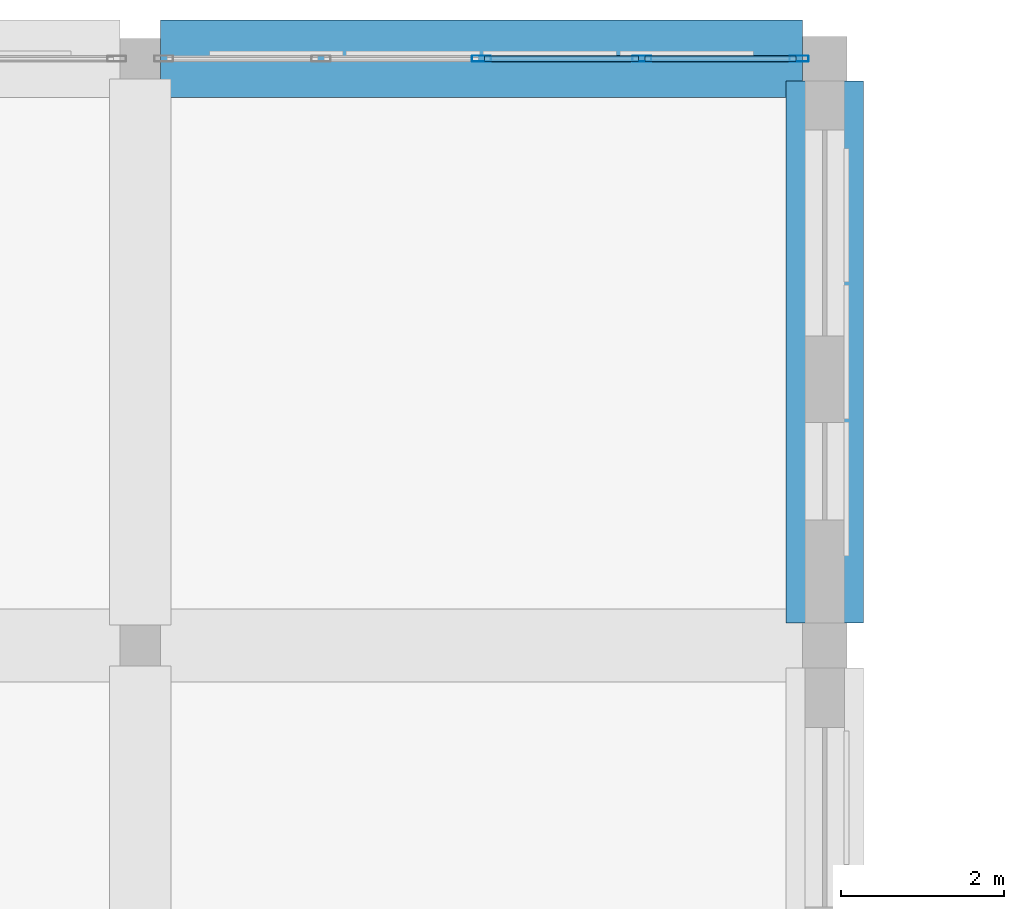
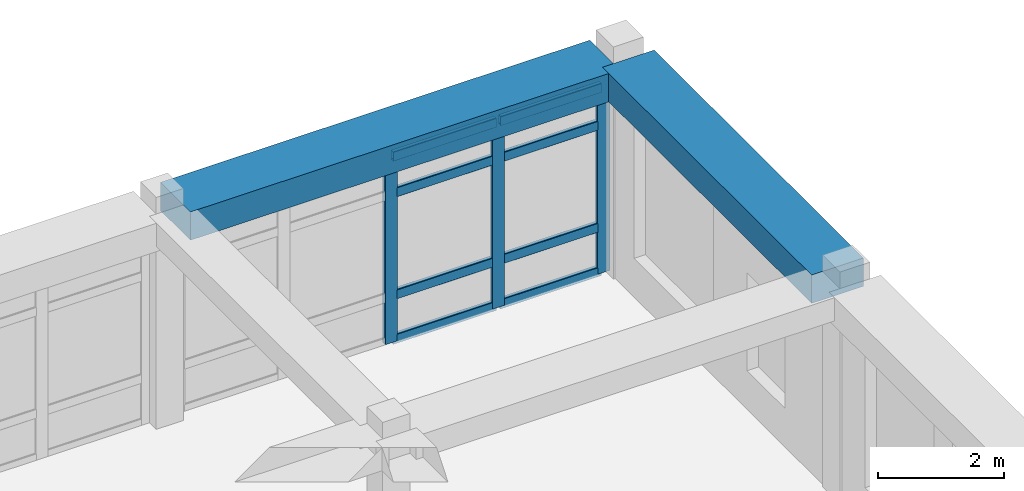
# One storey, part 52 of 121: 11 members, 2 beams, 1 element without a shape of its own.
"""IFC4 building model written with IfcOpenShell, lengths in metres."""

from ifc_helpers import new_model, si_unit, derived_unit, direction, frame, origin, origin_2d, place, context, subcontext, project, spatial, rectangle, hollow_rectangle, extrude, material, material_profile, profile_set, type_object, element, aggregate, save


model = new_model("IFC4")

# Units and contexts
model_context = context("Model", 3, precision=1e-05, world=origin(), true_north=direction((0.0, 1.0)))
body_context = subcontext(model_context, "Body", "Model", "MODEL_VIEW")
ifc_project = project(units=[si_unit("LENGTHUNIT", "METRE"), si_unit("AREAUNIT", "SQUARE_METRE"), si_unit("VOLUMEUNIT", "CUBIC_METRE"), si_unit("PLANEANGLEUNIT", "RADIAN"), si_unit("MASSUNIT", "GRAM", prefix="KILO"), derived_unit("THERMALTRANSMITTANCEUNIT", [(si_unit("POWERUNIT", "WATT"), 1), (si_unit("LENGTHUNIT", "METRE"), -2), (si_unit("THERMODYNAMICTEMPERATUREUNIT", "KELVIN"), -1)])], contexts=[model_context])

# Site, building, storey
site_placement = place(None, origin())
site = spatial("IfcSite", under=ifc_project, at=site_placement, CompositionType="ELEMENT")
building_placement = place(site_placement, origin())
building = spatial("IfcBuilding", under=site, at=building_placement, Name="Veybourne Emporium", CompositionType="ELEMENT")
storey_placement = place(building_placement, frame((0.0, 0.0, 5.39990234375)))
storey = spatial("IfcBuildingStorey", under=building, at=storey_placement, Name="L01", CompositionType="ELEMENT", Elevation=5.39990234375)

# Curtain wall, members
ifc_material_1 = material(Name="Patinated Architectural Bronze", Category="bronze")
curtain_wall_type = type_object("IfcCurtainWallType", Name="CWSystem_CWS-23", PredefinedType="NOTDEFINED", material=ifc_material_1)
curtain_wall_placement = place(storey_placement, origin())
curtain_wall = element("IfcCurtainWall", 1, at=curtain_wall_placement, inside=storey, type_object=curtain_wall_type, Name="L01 bronze glazed curtain wall CWS-23 (060)", PredefinedType="NOTDEFINED")
ifc_material_profile_1 = material_profile(ifc_material_1, hollow_rectangle(XDim=0.077880859375, YDim=0.235107421875, WallThickness=0.0048828125, InnerFilletRadius=0.007568359375, OuterFilletRadius=0.012451171875, at=origin_2d()), Name="CWM 78x235x5")
ifc_profile_set_1 = profile_set([ifc_material_profile_1], Name="Patinated Architectural Bronze")
member_type_1 = type_object("IfcMemberType", Name="CWMullion_CW-M3", PredefinedType="MULLION", material=ifc_profile_set_1)
member_1_placement = place(storey_placement, frame((96.58740234375, 115.199951171875, 0.0), z_axis=(0.0, 0.0, 1.0), x_axis=(0.0, 1.0, 0.0)))
member_1 = element("IfcMember", 2, at=member_1_placement, type_object=member_type_1, Name="CWS-23 mullion 3", PredefinedType="MULLION", context=body_context, shape_type="SweptSolid", body=[
    extrude(hollow_rectangle(XDim=0.077880859375, YDim=0.235107421875, WallThickness=0.0048828125, InnerFilletRadius=0.007568359375, OuterFilletRadius=0.012451171875, at=origin_2d()), origin(), (0.0, 0.0, 1.0), 3.630126953125),
])
member_2_placement = place(storey_placement, frame((98.55615234375, 115.199951171875, 0.0), z_axis=(0.0, 0.0, 1.0), x_axis=(0.0, 1.0, 0.0)))
member_2 = element("IfcMember", 3, at=member_2_placement, type_object=member_type_1, Name="CWS-23 mullion 4", PredefinedType="MULLION", context=body_context, shape_type="SweptSolid", body=[
    extrude(hollow_rectangle(XDim=0.077880859375, YDim=0.235107421875, WallThickness=0.0048828125, InnerFilletRadius=0.007568359375, OuterFilletRadius=0.012451171875, at=origin_2d()), origin(), (0.0, 0.0, 1.0), 3.630126953125),
])
member_3_placement = place(storey_placement, frame((100.486083984375, 115.199951171875, 0.0), z_axis=(0.0, 0.0, 1.0), x_axis=(0.0, 1.0, 0.0)))
member_3 = element("IfcMember", 4, at=member_3_placement, type_object=member_type_1, Name="CWS-23 mullion 5", PredefinedType="MULLION", context=body_context, shape_type="SweptSolid", body=[
    extrude(hollow_rectangle(XDim=0.077880859375, YDim=0.235107421875, WallThickness=0.0048828125, InnerFilletRadius=0.007568359375, OuterFilletRadius=0.012451171875, at=origin_2d()), origin(), (0.0, 0.0, 1.0), 3.630126953125),
])
ifc_material_profile_2 = material_profile(ifc_material_1, hollow_rectangle(XDim=0.077880859375, YDim=0.18505859375, WallThickness=0.0048828125, InnerFilletRadius=0.007568359375, OuterFilletRadius=0.012451171875, at=origin_2d()), Name="CWT 78x185x5")
ifc_profile_set_2 = profile_set([ifc_material_profile_2], Name="Patinated Architectural Bronze")
member_type_2 = type_object("IfcMemberType", Name="CWTransom_CW-T3", PredefinedType="NOTDEFINED", material=ifc_profile_set_2)
member_4_placement = place(storey_placement, frame((96.62646484375, 115.199951171875, 0.0390625), z_axis=(1.0, 0.0, 0.0), x_axis=(0.0, 1.0, 0.0)))
member_4 = element("IfcMember", 5, at=member_4_placement, type_object=member_type_2, Name="CWS-23 transom 3.1", ObjectType="TRANSOM", PredefinedType="USERDEFINED", context=body_context, shape_type="SweptSolid", body=[
    extrude(hollow_rectangle(XDim=0.077880859375, YDim=0.18505859375, WallThickness=0.0048828125, InnerFilletRadius=0.007568359375, OuterFilletRadius=0.012451171875, at=origin_2d()), origin(), (0.0, 0.0, 1.0), 1.890869140625),
])
member_5_placement = place(storey_placement, frame((96.62646484375, 115.199951171875, 0.900146484375), z_axis=(1.0, 0.0, 0.0), x_axis=(0.0, 1.0, 0.0)))
member_5 = element("IfcMember", 6, at=member_5_placement, type_object=member_type_2, Name="CWS-23 transom 3.2", ObjectType="TRANSOM", PredefinedType="USERDEFINED", context=body_context, shape_type="SweptSolid", body=[
    extrude(hollow_rectangle(XDim=0.077880859375, YDim=0.18505859375, WallThickness=0.0048828125, InnerFilletRadius=0.007568359375, OuterFilletRadius=0.012451171875, at=origin_2d()), origin(), (0.0, 0.0, 1.0), 1.890869140625),
])
member_6_placement = place(storey_placement, frame((96.62646484375, 115.199951171875, 2.880126953125), z_axis=(1.0, 0.0, 0.0), x_axis=(0.0, 1.0, 0.0)))
member_6 = element("IfcMember", 7, at=member_6_placement, type_object=member_type_2, Name="CWS-23 transom 3.3", ObjectType="TRANSOM", PredefinedType="USERDEFINED", context=body_context, shape_type="SweptSolid", body=[
    extrude(hollow_rectangle(XDim=0.077880859375, YDim=0.18505859375, WallThickness=0.0048828125, InnerFilletRadius=0.007568359375, OuterFilletRadius=0.012451171875, at=origin_2d()), origin(), (0.0, 0.0, 1.0), 1.890869140625),
])
member_7_placement = place(storey_placement, frame((96.62646484375, 115.199951171875, 3.591064453125), z_axis=(1.0, 0.0, 0.0), x_axis=(0.0, 1.0, 0.0)))
member_7 = element("IfcMember", 8, at=member_7_placement, type_object=member_type_2, Name="CWS-23 transom 3.4", ObjectType="TRANSOM", PredefinedType="USERDEFINED", context=body_context, shape_type="SweptSolid", body=[
    extrude(hollow_rectangle(XDim=0.077880859375, YDim=0.18505859375, WallThickness=0.0048828125, InnerFilletRadius=0.007568359375, OuterFilletRadius=0.012451171875, at=origin_2d()), origin(), (0.0, 0.0, 1.0), 1.890869140625),
])
member_8_placement = place(storey_placement, frame((98.59521484375, 115.199951171875, 0.0390625), z_axis=(1.0, 0.0, 0.0), x_axis=(0.0, 1.0, 0.0)))
member_8 = element("IfcMember", 9, at=member_8_placement, type_object=member_type_2, Name="CWS-23 transom 4.1", ObjectType="TRANSOM", PredefinedType="USERDEFINED", context=body_context, shape_type="SweptSolid", body=[
    extrude(hollow_rectangle(XDim=0.077880859375, YDim=0.18505859375, WallThickness=0.0048828125, InnerFilletRadius=0.007568359375, OuterFilletRadius=0.012451171875, at=origin_2d()), origin(), (0.0, 0.0, 1.0), 1.851806640625),
])
member_9_placement = place(storey_placement, frame((98.59521484375, 115.199951171875, 0.900146484375), z_axis=(1.0, 0.0, 0.0), x_axis=(0.0, 1.0, 0.0)))
member_9 = element("IfcMember", 10, at=member_9_placement, type_object=member_type_2, Name="CWS-23 transom 4.2", ObjectType="TRANSOM", PredefinedType="USERDEFINED", context=body_context, shape_type="SweptSolid", body=[
    extrude(hollow_rectangle(XDim=0.077880859375, YDim=0.18505859375, WallThickness=0.0048828125, InnerFilletRadius=0.007568359375, OuterFilletRadius=0.012451171875, at=origin_2d()), origin(), (0.0, 0.0, 1.0), 1.851806640625),
])
member_10_placement = place(storey_placement, frame((98.59521484375, 115.199951171875, 2.880126953125), z_axis=(1.0, 0.0, 0.0), x_axis=(0.0, 1.0, 0.0)))
member_10 = element("IfcMember", 11, at=member_10_placement, type_object=member_type_2, Name="CWS-23 transom 4.3", ObjectType="TRANSOM", PredefinedType="USERDEFINED", context=body_context, shape_type="SweptSolid", body=[
    extrude(hollow_rectangle(XDim=0.077880859375, YDim=0.18505859375, WallThickness=0.0048828125, InnerFilletRadius=0.007568359375, OuterFilletRadius=0.012451171875, at=origin_2d()), origin(), (0.0, 0.0, 1.0), 1.851806640625),
])
member_11_placement = place(storey_placement, frame((98.59521484375, 115.199951171875, 3.591064453125), z_axis=(1.0, 0.0, 0.0), x_axis=(0.0, 1.0, 0.0)))
member_11 = element("IfcMember", 12, at=member_11_placement, type_object=member_type_2, Name="CWS-23 transom 4.4", ObjectType="TRANSOM", PredefinedType="USERDEFINED", context=body_context, shape_type="SweptSolid", body=[
    extrude(hollow_rectangle(XDim=0.077880859375, YDim=0.18505859375, WallThickness=0.0048828125, InnerFilletRadius=0.007568359375, OuterFilletRadius=0.012451171875, at=origin_2d()), origin(), (0.0, 0.0, 1.0), 1.851806640625),
])
aggregate(curtain_wall, [member_1, member_2, member_3, member_4, member_5, member_6, member_7, member_8, member_9, member_10, member_11])

# Beams
ifc_material_2 = material(Name="Concrete C32/40", Category="concrete")
ifc_material_profile_3 = material_profile(ifc_material_2, rectangle(XDim=0.949951171875, YDim=0.550048828125, at=origin_2d()), Name="RC 950x550")
ifc_profile_set_3 = profile_set([ifc_material_profile_3], Name="Concrete C32/40")
beam_type = type_object("IfcBeamType", Name="RCBeam_EB-01", PredefinedType="SPANDREL", material=ifc_profile_set_3)
beam_1_placement = place(storey_placement, frame((92.64990234375, 115.199951171875, 3.905029296875), z_axis=(1.0, 0.0, 0.0), x_axis=(0.0, 1.0, 0.0)))
element("IfcBeam", 13, at=beam_1_placement, inside=storey, type_object=beam_type, Name="L01 X-grid beam EB-01 (11,16)", PredefinedType="SPANDREL", context=body_context, shape_type="SweptSolid", body=[
    extrude(rectangle(XDim=0.949951171875, YDim=0.550048828125, at=origin_2d()), origin(), (0.0, 0.0, 1.0), 7.875),
])
beam_2_placement = place(storey_placement, frame((100.800048828125, 108.27490234375, 3.905029296875), z_axis=(0.0, 1.0, 0.0), x_axis=(-1.0, 0.0, 0.0)))
element("IfcBeam", 14, at=beam_2_placement, inside=storey, type_object=beam_type, Name="L01 Y-grid beam EB-01 (12,15)", PredefinedType="SPANDREL", context=body_context, shape_type="SweptSolid", body=[
    extrude(rectangle(XDim=0.949951171875, YDim=0.550048828125, at=origin_2d()), origin(), (0.0, 0.0, 1.0), 6.650146484375),
])

save(model, "model.ifc")
